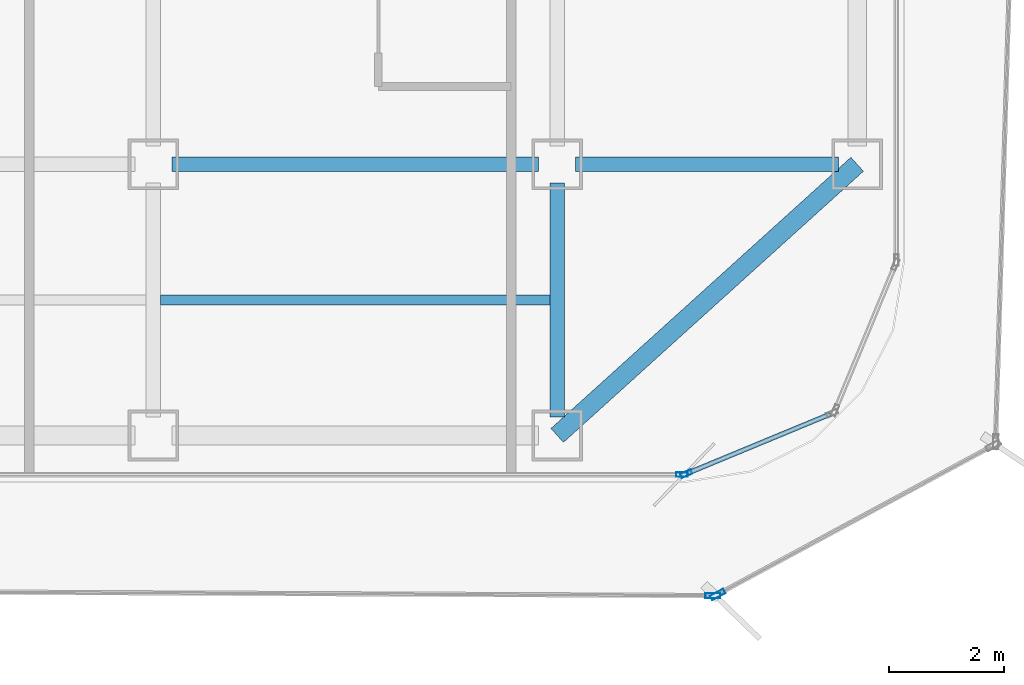
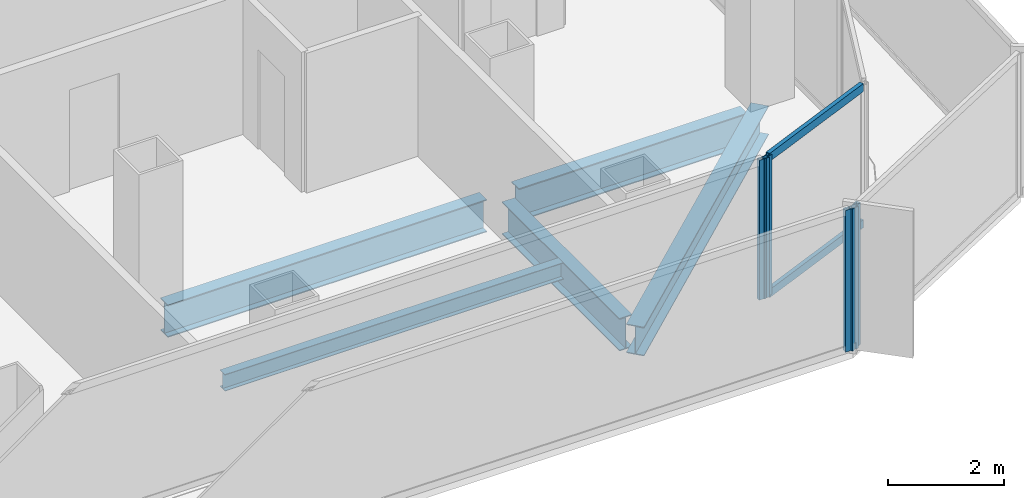
# One storey, part 6 of 21: 6 members, 5 beams, 4 elements without a shape of their own.
"""IFC4 building model written with IfcOpenShell, lengths in metres."""

from ifc_helpers import new_model, si_unit, direction, frame, origin, origin_2d, place, context, subcontext, project, spatial, hollow_rectangle, i_section, extrude, source, transform, mapped, material, layer, layer_set, material_profile, profile_set, type_object, element, aggregate, save


model = new_model("IFC4")

# Units and contexts
model_context = context("Model", 3, precision=1e-05, world=origin(), true_north=direction((0.0, 1.0)))
body_context = subcontext(model_context, "Body", "Model", "MODEL_VIEW")
ifc_project = project(units=[si_unit("LENGTHUNIT", "METRE"), si_unit("AREAUNIT", "SQUARE_METRE"), si_unit("VOLUMEUNIT", "CUBIC_METRE"), si_unit("PLANEANGLEUNIT", "RADIAN"), si_unit("MASSUNIT", "GRAM", prefix="KILO")], contexts=[model_context])

# Site, building, storey
site_placement = place(None, origin())
site = spatial("IfcSite", under=ifc_project, at=site_placement, CompositionType="ELEMENT")
building_placement = place(site_placement, origin())
building = spatial("IfcBuilding", under=site, at=building_placement, Name="Kolveth Station Tower", CompositionType="ELEMENT")
storey_placement = place(building_placement, frame((0.0, 0.0, 92.699951171875)))
storey = spatial("IfcBuildingStorey", under=building, at=storey_placement, Name="L24", CompositionType="ELEMENT", Elevation=92.699951171875)

# Beams
ifc_material_1 = material(Name="Steel S355", Category="steel")
ifc_material_profile_1 = material_profile(ifc_material_1, i_section(OverallWidth=0.323974609375, OverallDepth=0.611083984375, WebThickness=0.0126953125, FlangeThickness=0.01904296875, at=origin_2d()), Name="W610x155")
ifc_profile_set_1 = profile_set([ifc_material_profile_1], Name="Steel S355")
beam_type_1 = type_object("IfcBeamType", Name="Beam_SP2", PredefinedType="SPANDREL", material=ifc_profile_set_1)
shared_shape_1 = source(origin(), body_context, "Body", "SweptSolid", [
    extrude(i_section(OverallWidth=0.323974609375, OverallDepth=0.611083984375, WebThickness=0.0126953125, FlangeThickness=0.01904296875, at=origin_2d()), origin(), (0.0, 0.0, 1.0), 7.00927734375),
])
beam_1_placement = place(storey_placement, frame((41.0, 0.800048828125, -0.555419921875), z_axis=(0.741874009795, 0.670539300557, 0.0), x_axis=(-0.670539300557, 0.741874009795, 0.0)))
element("IfcBeam", 1, at=beam_1_placement, inside=storey, type_object=beam_type_1, Name="L24 Corner Edge Girder BM-L24-CNR-SE", PredefinedType="SPANDREL", context=body_context, shape_type="MappedRepresentation", body=[
    mapped(shared_shape_1, transform((0.0, 0.0, 0.0), x_axis=(1.0, 0.0, 0.0), y_axis=(0.0, 1.0, 0.0), z_axis=(0.0, 0.0, 1.0), scale=1.0)),
])
ifc_material_profile_2 = material_profile(ifc_material_1, i_section(OverallWidth=0.25390625, OverallDepth=0.68798828125, WebThickness=0.01318359375, FlangeThickness=0.02099609375, at=origin_2d()), Name="W690x152")
ifc_profile_set_2 = profile_set([ifc_material_profile_2], Name="Steel S355")
beam_type_2 = type_object("IfcBeamType", Name="Beam_B4", PredefinedType="BEAM", material=ifc_profile_set_2)
shared_shape_2 = source(origin(), body_context, "Body", "SweptSolid", [
    extrude(i_section(OverallWidth=0.25390625, OverallDepth=0.68798828125, WebThickness=0.01318359375, FlangeThickness=0.02099609375, at=origin_2d()), origin(), (0.0, 0.0, 1.0), 4.559814453125),
])
beam_2_placement = place(storey_placement, frame((41.320068359375, 5.5, -0.593994140625), z_axis=(1.0, 0.0, 0.0), x_axis=(0.0, 1.0, 0.0)))
element("IfcBeam", 2, at=beam_2_placement, inside=storey, type_object=beam_type_2, Name="L24 Primary Girder BM-L24-GY55-7", PredefinedType="BEAM", context=body_context, shape_type="MappedRepresentation", body=[
    mapped(shared_shape_2, transform((0.0, 0.0, 0.0), x_axis=(1.0, 0.0, 0.0), y_axis=(0.0, 1.0, 0.0), z_axis=(0.0, 0.0, 1.0), scale=1.0)),
])
shared_shape_3 = source(origin(), body_context, "Body", "SweptSolid", [
    extrude(i_section(OverallWidth=0.25390625, OverallDepth=0.68798828125, WebThickness=0.01318359375, FlangeThickness=0.02099609375, at=origin_2d()), origin(), (0.0, 0.0, 1.0), 6.35986328125),
])
beam_3_placement = place(storey_placement, frame((34.320068359375, 5.5, -0.593994140625), z_axis=(1.0, 0.0, 0.0), x_axis=(0.0, 1.0, 0.0)))
element("IfcBeam", 3, at=beam_3_placement, inside=storey, type_object=beam_type_2, Name="L24 Primary Girder BM-L24-GY55-6", PredefinedType="BEAM", context=body_context, shape_type="MappedRepresentation", body=[
    mapped(shared_shape_3, transform((0.0, 0.0, 0.0), x_axis=(1.0, 0.0, 0.0), y_axis=(0.0, 1.0, 0.0), z_axis=(0.0, 0.0, 1.0), scale=1.0)),
])
shared_shape_4 = source(origin(), body_context, "Body", "SweptSolid", [
    extrude(i_section(OverallWidth=0.25390625, OverallDepth=0.68798828125, WebThickness=0.01318359375, FlangeThickness=0.02099609375, at=origin_2d()), origin(), (0.0, 0.0, 1.0), 4.059814453125),
])
beam_4_placement = place(storey_placement, frame((41.0, 1.1201171875, -0.593994140625), z_axis=(0.0, 1.0, 0.0), x_axis=(-1.0, 0.0, 0.0)))
element("IfcBeam", 4, at=beam_4_placement, inside=storey, type_object=beam_type_2, Name="L24 Primary Girder BM-L24-GX410-1", PredefinedType="BEAM", context=body_context, shape_type="MappedRepresentation", body=[
    mapped(shared_shape_4, transform((0.0, 0.0, 0.0), x_axis=(1.0, 0.0, 0.0), y_axis=(0.0, 1.0, 0.0), z_axis=(0.0, 0.0, 1.0), scale=1.0)),
])
ifc_material_profile_3 = material_profile(ifc_material_1, i_section(OverallWidth=0.1708984375, OverallDepth=0.35205078125, WebThickness=0.0068359375, FlangeThickness=0.009765625, at=origin_2d()), Name="W360x44")
ifc_profile_set_3 = profile_set([ifc_material_profile_3], Name="Steel S355")
beam_type_3 = type_object("IfcBeamType", Name="Beam_J2", PredefinedType="JOIST", material=ifc_profile_set_3)
shared_shape_5 = source(origin(), body_context, "Body", "SweptSolid", [
    extrude(i_section(OverallWidth=0.1708984375, OverallDepth=0.35205078125, WebThickness=0.0068359375, FlangeThickness=0.009765625, at=origin_2d()), origin(), (0.0, 0.0, 1.0), 6.75),
])
beam_5_placement = place(storey_placement, frame((34.125, 3.14990234375, -0.426025390625), z_axis=(1.0, 0.0, 0.0), x_axis=(0.0, 1.0, 0.0)))
element("IfcBeam", 5, at=beam_5_placement, inside=storey, type_object=beam_type_3, Name="L24 Secondary Joist JST-L24-6-1", PredefinedType="JOIST", context=body_context, shape_type="MappedRepresentation", body=[
    mapped(shared_shape_5, transform((0.0, 0.0, 0.0), x_axis=(1.0, 0.0, 0.0), y_axis=(0.0, 1.0, 0.0), z_axis=(0.0, 0.0, 1.0), scale=1.0)),
])

# Curtain wall, member
ifc_material_2 = material(Name="Aluminium 6063-T6 and low-E dark glass", Category="aluminium")
ifc_layer_1 = layer(ifc_material_2, 0.18994140625)
ifc_layer_set_1 = layer_set([ifc_layer_1], Name="Aluminium 6063-T6 and low-E dark glass")
curtain_wall_type_1 = type_object("IfcCurtainWallType", Name="CurtainWall_CW-Z2", PredefinedType="NOTDEFINED", material=ifc_layer_set_1)
curtain_wall_1_placement = place(storey_placement, origin())
curtain_wall_1 = element("IfcCurtainWall", 6, at=curtain_wall_1_placement, inside=storey, type_object=curtain_wall_type_1, Name="L24 Inner Thermal Curtain Wall 1", PredefinedType="NOTDEFINED")
ifc_material_3 = material(Name="Black anodized aluminium 6063-T6", Category="aluminium")
ifc_material_profile_4 = material_profile(ifc_material_3, hollow_rectangle(XDim=0.080078125, YDim=0.199951171875, WallThickness=0.0048828125, at=origin_2d()), Name="ALU-80x200x5")
ifc_profile_set_4 = profile_set([ifc_material_profile_4], Name="Black anodized aluminium 6063-T6")
member_type_1 = type_object("IfcMemberType", Name="Mullion_ML2", PredefinedType="MULLION", material=ifc_profile_set_4)
shared_shape_6 = source(origin(), body_context, "Body", "SweptSolid", [
    extrude(hollow_rectangle(XDim=0.080078125, YDim=0.199951171875, WallThickness=0.0048828125, at=origin_2d()), origin(), (0.0, 0.0, 1.0), 2.949951171875),
])
member_1_placement = place(storey_placement, frame((43.237060546875, 0.13525390625, 0.0), z_axis=(0.0, 0.0, 1.0), x_axis=(-0.38266326998, 0.923887883787, 0.0)))
member_1 = element("IfcMember", 7, at=member_1_placement, type_object=member_type_1, Name="CW-Z2 mullion 1", PredefinedType="MULLION", context=body_context, shape_type="MappedRepresentation", body=[
    mapped(shared_shape_6, transform((0.0, 0.0, 0.0), x_axis=(1.0, 0.0, 0.0), y_axis=(0.0, 1.0, 0.0), z_axis=(0.0, 0.0, 1.0), scale=1.0)),
])

curtain_wall_2_placement = place(storey_placement, origin())
curtain_wall_2 = element("IfcCurtainWall", 8, at=curtain_wall_2_placement, inside=storey, type_object=curtain_wall_type_1, Name="L24 Inner Thermal Curtain Wall 12", PredefinedType="NOTDEFINED")
member_2_placement = place(storey_placement, frame((43.159912109375, 0.1201171875, 0.0), z_axis=(0.0, 0.0, 1.0), x_axis=(0.0, 1.0, 0.0)))
member_2 = element("IfcMember", 9, at=member_2_placement, type_object=member_type_1, Name="CW-Z2 mullion 3", PredefinedType="MULLION", context=body_context, shape_type="MappedRepresentation", body=[
    mapped(shared_shape_6, transform((0.0, 0.0, 0.0), x_axis=(1.0, 0.0, 0.0), y_axis=(0.0, 1.0, 0.0), z_axis=(0.0, 0.0, 1.0), scale=1.0)),
])
aggregate(curtain_wall_2, [member_2])

# Member
ifc_material_profile_5 = material_profile(ifc_material_3, hollow_rectangle(XDim=0.080078125, YDim=0.169921875, WallThickness=0.0048828125, at=origin_2d()), Name="ALU-80x170x5")
ifc_profile_set_5 = profile_set([ifc_material_profile_5], Name="Black anodized aluminium 6063-T6")
member_type_2 = type_object("IfcMemberType", Name="Transom_TR2", PredefinedType="USERDEFINED", material=ifc_profile_set_5)
shared_shape_7 = source(origin(), body_context, "Body", "SweptSolid", [
    extrude(hollow_rectangle(XDim=0.080078125, YDim=0.169921875, WallThickness=0.0048828125, at=origin_2d()), origin(), (0.0, 0.0, 1.0), 2.656494140625),
])
member_3_placement = place(storey_placement, frame((43.27392578125, 0.150634765625, 0.0400390625), z_axis=(0.923882422403, 0.382676455475, 0.0), x_axis=(-0.382676455475, 0.923882422403, 0.0)))
member_3 = element("IfcMember", 10, at=member_3_placement, type_object=member_type_2, Name="CW-Z2 transom 1.1", ObjectType="TRANSOM", PredefinedType="USERDEFINED", context=body_context, shape_type="MappedRepresentation", body=[
    mapped(shared_shape_7, transform((0.0, 0.0, 0.0), x_axis=(1.0, 0.0, 0.0), y_axis=(0.0, 1.0, 0.0), z_axis=(0.0, 0.0, 1.0), scale=1.0)),
])

member_4_placement = place(storey_placement, frame((43.27392578125, 0.150634765625, 2.91015625), z_axis=(0.923882422403, 0.382676455475, 0.0), x_axis=(-0.382676455475, 0.923882422403, 0.0)))
member_4 = element("IfcMember", 11, at=member_4_placement, type_object=member_type_2, Name="CW-Z2 transom 1.2", ObjectType="TRANSOM", PredefinedType="USERDEFINED", context=body_context, shape_type="MappedRepresentation", body=[
    mapped(shared_shape_7, transform((0.0, 0.0, 0.0), x_axis=(1.0, 0.0, 0.0), y_axis=(0.0, 1.0, 0.0), z_axis=(0.0, 0.0, 1.0), scale=1.0)),
])

aggregate(curtain_wall_1, [member_1, member_3, member_4])

# Curtain wall, member
ifc_material_4 = material(Name="Black anodized aluminium 6063-T6 and dark solar glass", Category="aluminium")
ifc_layer_2 = layer(ifc_material_4, 0.159912109375)
ifc_layer_set_2 = layer_set([ifc_layer_2], Name="Black anodized aluminium 6063-T6 and dark solar glass")
curtain_wall_type_2 = type_object("IfcCurtainWallType", Name="OUTER SKIN CW-OS", PredefinedType="NOTDEFINED", material=ifc_layer_set_2)
curtain_wall_3_placement = place(storey_placement, origin())
curtain_wall_3 = element("IfcCurtainWall", 12, at=curtain_wall_3_placement, inside=storey, type_object=curtain_wall_type_2, Name="L24 Outer Ventilated Skin Curtain Wall 1", PredefinedType="NOTDEFINED")
ifc_material_profile_6 = material_profile(ifc_material_3, hollow_rectangle(XDim=0.090087890625, YDim=0.260009765625, WallThickness=0.0048828125, at=origin_2d()), Name="ALU-90x260x5")
ifc_profile_set_6 = profile_set([ifc_material_profile_6], Name="Black anodized aluminium 6063-T6")
member_type_3 = type_object("IfcMemberType", Name="FIN MULLION ML-OS", PredefinedType="MULLION", material=ifc_profile_set_6)
shared_shape_8 = source(origin(), body_context, "Body", "SweptSolid", [
    extrude(hollow_rectangle(XDim=0.090087890625, YDim=0.260009765625, WallThickness=0.0048828125, at=origin_2d()), origin(), (0.0, 0.0, 1.0), 2.989990234375),
])
member_5_placement = place(storey_placement, frame((43.781982421875, -1.957763671875, 0.0), z_axis=(0.0, 0.0, 1.0), x_axis=(-0.475150316923, 0.879904640474, 0.0)))
member_5 = element("IfcMember", 13, at=member_5_placement, type_object=member_type_3, Name="CW-OS mullion 1", PredefinedType="MULLION", context=body_context, shape_type="MappedRepresentation", body=[
    mapped(shared_shape_8, transform((0.0, 0.0, 0.0), x_axis=(1.0, 0.0, 0.0), y_axis=(0.0, 1.0, 0.0), z_axis=(0.0, 0.0, 1.0), scale=1.0)),
])
aggregate(curtain_wall_3, [member_5])

curtain_wall_4_placement = place(storey_placement, origin())
curtain_wall_4 = element("IfcCurtainWall", 14, at=curtain_wall_4_placement, inside=storey, type_object=curtain_wall_type_2, Name="L24 Outer Ventilated Skin Curtain Wall 8", PredefinedType="NOTDEFINED")
member_6_placement = place(storey_placement, frame((43.697509765625, -1.97900390625, 0.0), z_axis=(0.0, 0.0, 1.0), x_axis=(0.004783441872, 0.999988559276, 0.0)))
member_6 = element("IfcMember", 15, at=member_6_placement, type_object=member_type_3, Name="CW-OS mullion 2", PredefinedType="MULLION", context=body_context, shape_type="MappedRepresentation", body=[
    mapped(shared_shape_8, transform((0.0, 0.0, 0.0), x_axis=(1.0, 0.0, 0.0), y_axis=(0.0, 1.0, 0.0), z_axis=(0.0, 0.0, 1.0), scale=1.0)),
])
aggregate(curtain_wall_4, [member_6])

save(model, "model.ifc")
